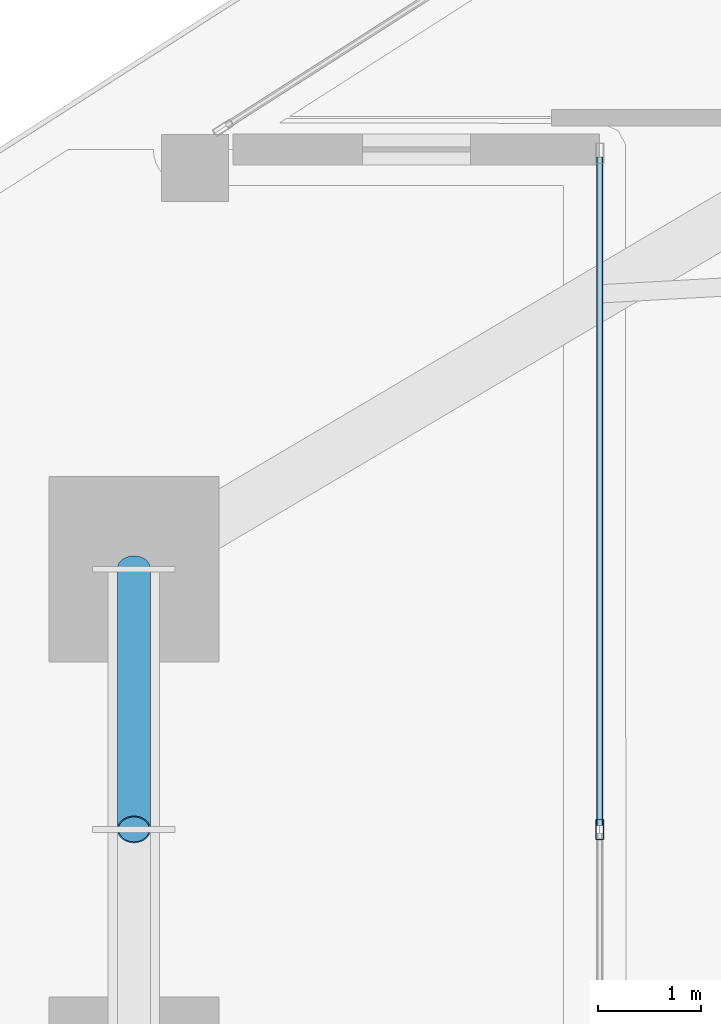
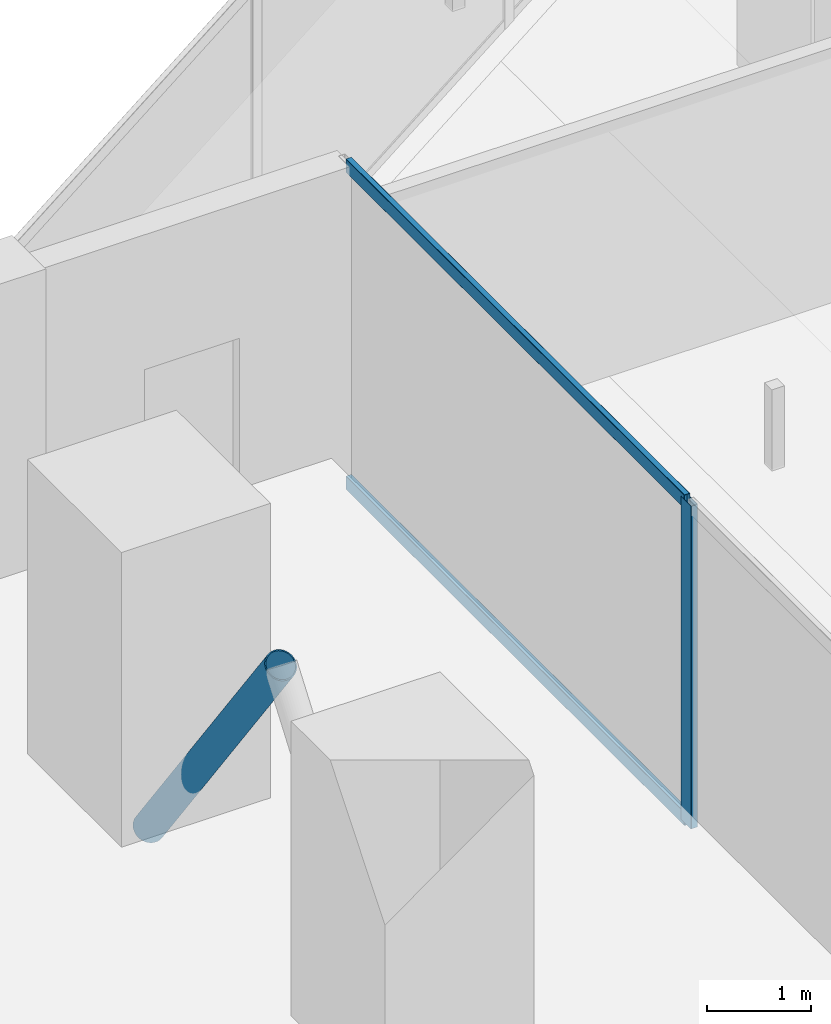
# One storey, part 8 of 36: 4 members, 1 element without a shape of its own.
"""IFC4 building model written with IfcOpenShell, lengths in metres."""

from ifc_helpers import new_model, si_unit, direction, frame, origin, origin_2d, place, context, subcontext, project, spatial, hollow_rectangle, hollow_circle, extrude, material, layer, layer_set, material_profile, profile_set, type_object, element, aggregate, save


model = new_model("IFC4")

# Units and contexts
model_context = context("Model", 3, precision=1e-05, world=origin(), true_north=direction((0.0, 1.0)))
body_context = subcontext(model_context, "Body", "Model", "MODEL_VIEW")
ifc_project = project(units=[si_unit("LENGTHUNIT", "METRE"), si_unit("AREAUNIT", "SQUARE_METRE"), si_unit("VOLUMEUNIT", "CUBIC_METRE"), si_unit("PLANEANGLEUNIT", "RADIAN"), si_unit("MASSUNIT", "GRAM", prefix="KILO")], contexts=[model_context])

# Site, building, storey
site_placement = place(None, origin())
site = spatial("IfcSite", under=ifc_project, at=site_placement, CompositionType="ELEMENT")
building_placement = place(site_placement, origin())
building = spatial("IfcBuilding", under=site, at=building_placement, Name="Qorvath Tower", CompositionType="ELEMENT")
storey_placement = place(building_placement, frame((0.0, 0.0, 229.35009765625)))
storey = spatial("IfcBuildingStorey", under=building, at=storey_placement, Name="L53", CompositionType="ELEMENT", Elevation=229.35009765625)

# Curtain wall, members
ifc_material_1 = material(Name="Anodised aluminium and triple low-E glass", Category="aluminium")
ifc_layer = layer(ifc_material_1, 0.179931640625)
ifc_layer_set = layer_set([ifc_layer], Name="CW-SYS-5")
curtain_wall_type = type_object("IfcCurtainWallType", Name="CW-SYS-5", PredefinedType="NOTDEFINED", material=ifc_layer_set)
curtain_wall_placement = place(storey_placement, origin())
curtain_wall = element("IfcCurtainWall", 1, at=curtain_wall_placement, inside=storey, type_object=curtain_wall_type, Name="Curtain Wall CW-5 CW-T-L53-2.1", PredefinedType="NOTDEFINED")
ifc_material_2 = material(Name="Anodised aluminium 6063-T6", Category="aluminium")
ifc_material_profile_1 = material_profile(ifc_material_2, hollow_rectangle(XDim=0.074951171875, YDim=0.199951171875, WallThickness=0.00390625, InnerFilletRadius=0.00390625, OuterFilletRadius=0.008056640625, at=origin_2d()), Name="CWM 200x75")
ifc_profile_set_1 = profile_set([ifc_material_profile_1], Name="Anodised aluminium 6063-T6")
member_type_1 = type_object("IfcMemberType", Name="CWM-200", PredefinedType="MULLION", material=ifc_profile_set_1)
member_1_placement = place(storey_placement, frame((-44.64794921875, 0.0, 0.0), z_axis=(0.0, 0.0, 1.0), x_axis=(1.0, 0.0, 0.0)))
member_1 = element("IfcMember", 2, at=member_1_placement, type_object=member_type_1, Name="CW-5 mullion 2", PredefinedType="MULLION", context=body_context, shape_type="SweptSolid", body=[
    extrude(hollow_rectangle(XDim=0.074951171875, YDim=0.199951171875, WallThickness=0.00390625, InnerFilletRadius=0.00390625, OuterFilletRadius=0.008056640625, at=origin_2d()), origin(), (0.0, 0.0, 1.0), 3.77978515625),
])
ifc_material_3 = material(Name="Anodised aluminium 6063-T6", Category="aluminium")
ifc_material_profile_2 = material_profile(ifc_material_3, hollow_rectangle(XDim=0.06494140625, YDim=0.159912109375, WallThickness=0.00341796875, InnerFilletRadius=0.00341796875, OuterFilletRadius=0.007080078125, at=origin_2d()), Name="CWT 160x65")
ifc_profile_set_2 = profile_set([ifc_material_profile_2], Name="Anodised aluminium 6063-T6")
member_type_2 = type_object("IfcMemberType", Name="CWT-160", PredefinedType="USERDEFINED", material=ifc_profile_set_2)
member_2_placement = place(storey_placement, frame((-44.64794921875, 6.529541015625, 0.032470703125), z_axis=(0.0, -1.0, 0.0), x_axis=(1.0, 0.0, 0.0)))
member_2 = element("IfcMember", 3, at=member_2_placement, type_object=member_type_2, Name="CW-5 transom 1.1", ObjectType="TRANSOM", PredefinedType="USERDEFINED", context=body_context, shape_type="SweptSolid", body=[
    extrude(hollow_rectangle(XDim=0.06494140625, YDim=0.159912109375, WallThickness=0.00341796875, InnerFilletRadius=0.00341796875, OuterFilletRadius=0.007080078125, at=origin_2d()), origin(), (0.0, 0.0, 1.0), 6.491943359375),
])
member_3_placement = place(storey_placement, frame((-44.64794921875, 6.529541015625, 3.747314453125), z_axis=(0.0, -1.0, 0.0), x_axis=(1.0, 0.0, 0.0)))
member_3 = element("IfcMember", 4, at=member_3_placement, type_object=member_type_2, Name="CW-5 transom 1.2", ObjectType="TRANSOM", PredefinedType="USERDEFINED", context=body_context, shape_type="SweptSolid", body=[
    extrude(hollow_rectangle(XDim=0.06494140625, YDim=0.159912109375, WallThickness=0.00341796875, InnerFilletRadius=0.00341796875, OuterFilletRadius=0.007080078125, at=origin_2d()), origin(), (0.0, 0.0, 1.0), 6.491943359375),
])
aggregate(curtain_wall, [member_1, member_2, member_3])

# Member
ifc_material_4 = material(Name="Steel ASTM A500 Grade C", Category="steel")
ifc_material_profile_3 = material_profile(ifc_material_4, hollow_circle(Radius=0.161865234375, WallThickness=0.0126953125, at=origin_2d()), Name="CHS 324x12.7")
ifc_profile_set_3 = profile_set([ifc_material_profile_3], Name="Steel ASTM A500 Grade C")
member_type_3 = type_object("IfcMemberType", Name="MEM-ST1", PredefinedType="STRUT", material=ifc_profile_set_3)
member_4_placement = place(storey_placement, frame((-49.171875, 2.52783203125, 0.0), z_axis=(0.0, -0.593304583795, 0.804978056128), x_axis=(1.0, 0.0, 0.0)))
element("IfcMember", 5, at=member_4_placement, inside=storey, type_object=member_type_3, Name="Sky Garden Corner Strut L53-A", PredefinedType="STRUT", context=body_context, shape_type="SweptSolid", body=[
    extrude(hollow_circle(Radius=0.161865234375, WallThickness=0.0126953125, at=origin_2d()), origin(), (0.0, 0.0, 1.0), 4.260498046875),
])

save(model, "model.ifc")
